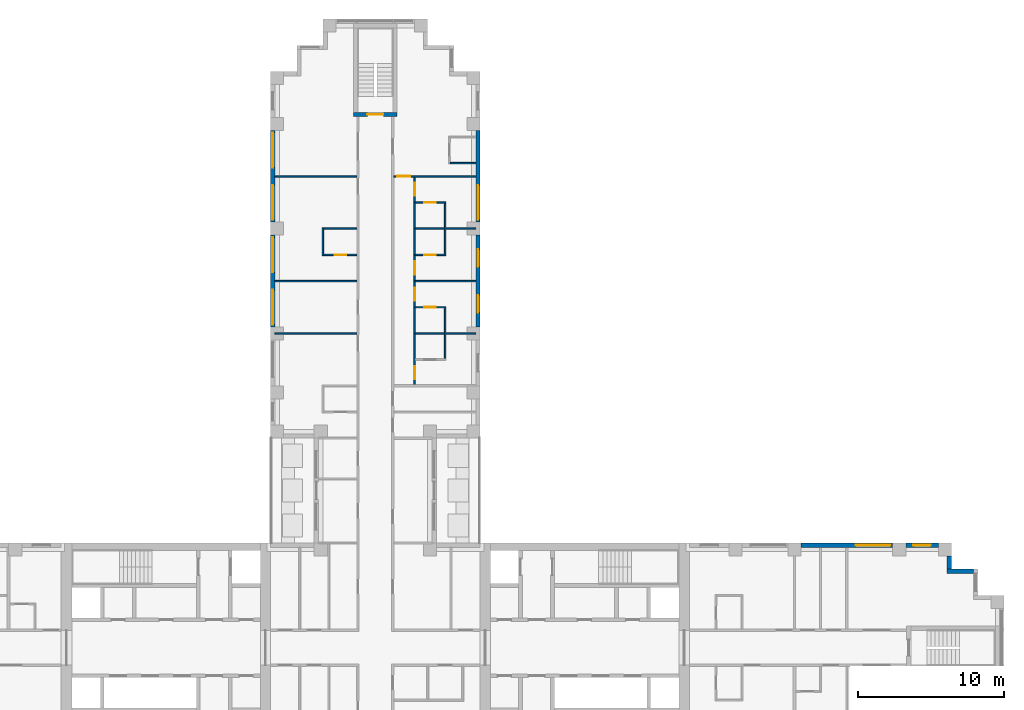
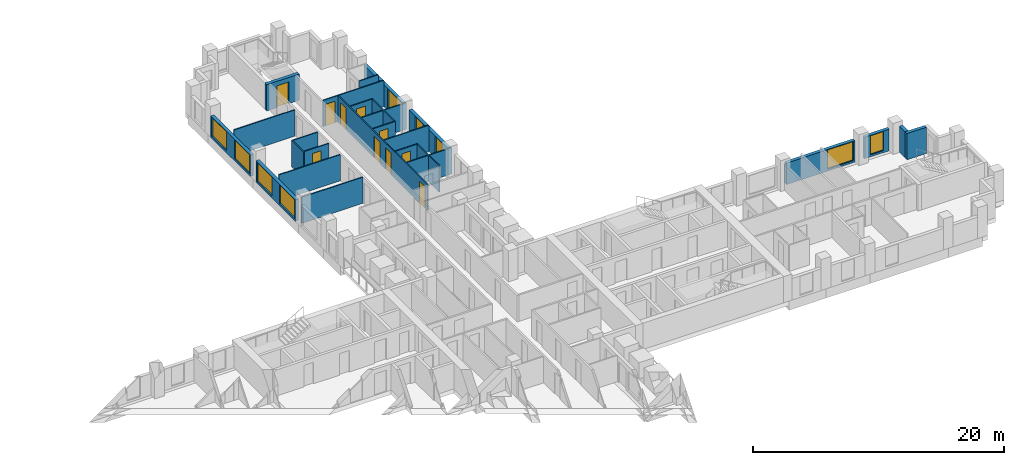
# One storey, part 11 of 15: 26 walls, 10 doors, 9 windows, 19 openings.
"""IFC4 building model written with IfcOpenShell, lengths in metres."""

from ifc_helpers import new_model, si_unit, direction, frame, frame_2d, origin, place, context, subcontext, project, spatial, rectangle, extrude, material, layer, layer_set, type_object, element, fill, save


model = new_model("IFC4")

# Units and contexts
model_context = context("Model", 3, precision=1e-05, world=origin(), true_north=direction((0.0, 1.0)))
body_context = subcontext(model_context, "Body", "Model", "MODEL_VIEW")
ifc_project = project(units=[si_unit("LENGTHUNIT", "METRE"), si_unit("AREAUNIT", "SQUARE_METRE"), si_unit("VOLUMEUNIT", "CUBIC_METRE"), si_unit("PLANEANGLEUNIT", "RADIAN"), si_unit("MASSUNIT", "GRAM", prefix="KILO")], contexts=[model_context])

# Site, building, storey
site_placement = place(None, origin())
site = spatial("IfcSite", under=ifc_project, at=site_placement, CompositionType="ELEMENT")
building_placement = place(site_placement, origin())
building = spatial("IfcBuilding", under=site, at=building_placement, Name="Fustian Cross Tower", CompositionType="ELEMENT")
storey_placement = place(building_placement, frame((0.0, 0.0, 59.699951171875)))
storey = spatial("IfcBuildingStorey", under=building, at=storey_placement, Name="L18", CompositionType="ELEMENT", Elevation=59.699951171875)

# Walls
ifc_material_1 = material(Name="Plasterboard on steel stud", Category="steel")
ifc_layer_1 = layer(ifc_material_1, 0.10009765625)
ifc_layer_set_1 = layer_set([ifc_layer_1], Name="Plasterboard on steel stud")
wall_type_1 = type_object("IfcWallType", Name="PARTITION 100 STUD", PredefinedType="PARTITIONING", material=ifc_layer_set_1)
for number, where, z_axis, x_axis, name in (
    (1, (-6.89990234375, 21.60009765625, 0.0), (0.0, 0.0, 1.0), (1.0, 0.0, 0.0), "Partition 19"),
    (2, (-6.89990234375, 25.199951171875, 0.0), (0.0, 0.0, 1.0), (1.0, 0.0, 0.0), "Partition 20"),
    (3, (-6.89990234375, 32.39990234375, 0.0), (0.0, 0.0, 1.0), (1.0, 0.0, 0.0), "Partition 21"),
):
    element("IfcWall", number, at=place(storey_placement, frame(where, z_axis=z_axis, x_axis=x_axis)), inside=storey, type_object=wall_type_1, Name=name, PredefinedType="PARTITIONING", context=body_context, shape_type="SweptSolid", body=[
        extrude(rectangle(XDim=5.625, YDim=0.10009765625, at=frame_2d((2.8125, 0.0))), origin(), (0.0, 0.0, 1.0), 2.550048828125),
    ])
wall_1_placement = place(storey_placement, frame((-3.60009765625, 26.949951171875, 0.0), z_axis=(0.0, 0.0, 1.0), x_axis=(0.0, 1.0, 0.0)))
element("IfcWall", 4, at=wall_1_placement, inside=storey, type_object=wall_type_1, Name="Partition 37", PredefinedType="PARTITIONING", context=body_context, shape_type="SweptSolid", body=[
    extrude(rectangle(XDim=1.900146484375, YDim=0.10009765625, at=frame_2d((0.9501953125, 0.0))), origin(), (0.0, 0.0, 1.0), 2.550048828125),
])

# Wall, opening, door
wall_2_placement = place(storey_placement, frame((-3.550048828125, 27.0, 0.0), z_axis=(0.0, 0.0, 1.0), x_axis=(1.0, 0.0, 0.0)))
wall_2 = element("IfcWall", 5, at=wall_2_placement, inside=storey, type_object=wall_type_1, Name="Partition 38", PredefinedType="PARTITIONING", context=body_context, shape_type="SweptSolid", body=[
    extrude(rectangle(XDim=2.275146484375, YDim=0.10009765625, at=frame_2d((1.1376953125, 0.0))), origin(), (0.0, 0.0, 1.0), 2.550048828125),
])
opening_1_placement = place(wall_2_placement, frame((0.75, 0.0, 0.0)))
opening_1 = element("IfcOpeningElement", 6, at=opening_1_placement, cuts=wall_2, Name="Opening D09027", PredefinedType="OPENING", context=body_context, shape_type="SweptSolid", body=[
    extrude(rectangle(XDim=0.800048828125, YDim=2.10009765625, at=frame_2d((0.39990234375, 1.050048828125))), frame((0.0, 0.06005859375, 0.0), z_axis=(0.0, -1.0, 0.0), x_axis=(1.0, 0.0, 0.0)), (0.0, 0.0, 1.0), 0.1201171875),
])
ifc_material_2 = material(Name="Painted timber", Category="wood")
door_type_1 = type_object("IfcDoorType", Name="SWING DOOR 800", OperationType="SINGLE_SWING_LEFT", PredefinedType="DOOR", material=ifc_material_2)
door_1_placement = place(opening_1_placement, origin())
door_1 = element("IfcDoor", 7, at=door_1_placement, inside=storey, type_object=door_type_1, Name="Door D09027", OperationType="SINGLE_SWING_LEFT", OverallHeight=2.10009765625, OverallWidth=0.800048828125, PredefinedType="DOOR", context=body_context, shape_type="SweptSolid", body=[
    extrude(rectangle(XDim=0.800048828125, YDim=2.10009765625, at=frame_2d((0.39990234375, 1.050048828125))), frame((0.0, 0.02490234375, 0.0), z_axis=(0.0, -1.0, 0.0), x_axis=(1.0, 0.0, 0.0)), (0.0, 0.0, 1.0), 0.050048828125),
])
fill(opening_1, door_1)

# Wall
wall_3_placement = place(storey_placement, frame((-3.550048828125, 28.800048828125, 0.0), z_axis=(0.0, 0.0, 1.0), x_axis=(1.0, 0.0, 0.0)))
element("IfcWall", 8, at=wall_3_placement, inside=storey, type_object=wall_type_1, Name="Partition 39", PredefinedType="PARTITIONING", context=body_context, shape_type="SweptSolid", body=[
    extrude(rectangle(XDim=2.275146484375, YDim=0.10009765625, at=frame_2d((1.1376953125, 0.0))), origin(), (0.0, 0.0, 1.0), 2.550048828125),
])

# Wall, opening, door
wall_4_placement = place(storey_placement, frame((1.27490234375, 32.39990234375, 0.0), z_axis=(0.0, 0.0, 1.0), x_axis=(1.0, 0.0, 0.0)))
wall_4 = element("IfcWall", 9, at=wall_4_placement, inside=storey, type_object=wall_type_1, Name="Partition 63", PredefinedType="PARTITIONING", context=body_context, shape_type="SweptSolid", body=[
    extrude(rectangle(XDim=5.625, YDim=0.10009765625, at=frame_2d((2.8125, 0.0))), origin(), (0.0, 0.0, 1.0), 2.550048828125),
])
opening_2_placement = place(wall_4_placement, frame((0.22509765625, 0.0, 0.0)))
opening_2 = element("IfcOpeningElement", 10, at=opening_2_placement, cuts=wall_4, Name="Opening D09035", PredefinedType="OPENING", context=body_context, shape_type="SweptSolid", body=[
    extrude(rectangle(XDim=0.89990234375, YDim=2.10009765625, at=frame_2d((0.449951171875, 1.050048828125))), frame((0.0, 0.06005859375, 0.0), z_axis=(0.0, -1.0, 0.0), x_axis=(1.0, 0.0, 0.0)), (0.0, 0.0, 1.0), 0.1201171875),
])
ifc_material_3 = material(Name="Painted timber", Category="wood")
door_type_2 = type_object("IfcDoorType", Name="SWING DOOR 900", OperationType="SINGLE_SWING_LEFT", PredefinedType="DOOR", material=ifc_material_3)
door_2_placement = place(opening_2_placement, frame((0.89990234375, 0.0, 0.0), z_axis=(0.0, 0.0, 1.0), x_axis=(-1.0, 0.0, 0.0)))
door_2 = element("IfcDoor", 11, at=door_2_placement, inside=storey, type_object=door_type_2, Name="Door D09035", OperationType="SINGLE_SWING_RIGHT", OverallHeight=2.10009765625, OverallWidth=0.89990234375, PredefinedType="DOOR", context=body_context, shape_type="SweptSolid", body=[
    extrude(rectangle(XDim=0.89990234375, YDim=2.10009765625, at=frame_2d((0.449951171875, 1.050048828125))), frame((0.0, 0.02490234375, 0.0), z_axis=(0.0, -1.0, 0.0), x_axis=(1.0, 0.0, 0.0)), (0.0, 0.0, 1.0), 0.050048828125),
])
fill(opening_2, door_2)

# Wall, openings, doors
wall_5_placement = place(storey_placement, frame((2.699951171875, 18.074951171875, 0.0), z_axis=(0.0, 0.0, 1.0), x_axis=(0.0, 1.0, 0.0)))
wall_5 = element("IfcWall", 12, at=wall_5_placement, inside=storey, type_object=wall_type_1, Name="Partition 68", PredefinedType="PARTITIONING", context=body_context, shape_type="SweptSolid", body=[
    extrude(rectangle(XDim=14.275146484375, YDim=0.10009765625, at=frame_2d((7.1376953125, 0.0))), origin(), (0.0, 0.0, 1.0), 2.550048828125),
])
opening_3_placement = place(wall_5_placement, frame((0.375, 0.0, 0.0)))
opening_3 = element("IfcOpeningElement", 13, at=opening_3_placement, cuts=wall_5, Name="Opening D09036", PredefinedType="OPENING", context=body_context, shape_type="SweptSolid", body=[
    extrude(rectangle(XDim=0.89990234375, YDim=2.10009765625, at=frame_2d((0.449951171875, 1.050048828125))), frame((0.0, 0.06005859375, 0.0), z_axis=(0.0, -1.0, 0.0), x_axis=(1.0, 0.0, 0.0)), (0.0, 0.0, 1.0), 0.1201171875),
])
opening_4_placement = place(wall_5_placement, frame((5.77490234375, 0.0, 0.0)))
opening_4 = element("IfcOpeningElement", 14, at=opening_4_placement, cuts=wall_5, Name="Opening D09037", PredefinedType="OPENING", context=body_context, shape_type="SweptSolid", body=[
    extrude(rectangle(XDim=0.89990234375, YDim=2.10009765625, at=frame_2d((0.449951171875, 1.050048828125))), frame((0.0, 0.06005859375, 0.0), z_axis=(0.0, -1.0, 0.0), x_axis=(1.0, 0.0, 0.0)), (0.0, 0.0, 1.0), 0.1201171875),
])
opening_5_placement = place(wall_5_placement, frame((7.574951171875, 0.0, 0.0)))
opening_5 = element("IfcOpeningElement", 15, at=opening_5_placement, cuts=wall_5, Name="Opening D09038", PredefinedType="OPENING", context=body_context, shape_type="SweptSolid", body=[
    extrude(rectangle(XDim=0.89990234375, YDim=2.10009765625, at=frame_2d((0.449951171875, 1.050048828125))), frame((0.0, 0.06005859375, 0.0), z_axis=(0.0, -1.0, 0.0), x_axis=(1.0, 0.0, 0.0)), (0.0, 0.0, 1.0), 0.1201171875),
])
opening_6_placement = place(wall_5_placement, frame((12.974853515625, 0.0, 0.0)))
opening_6 = element("IfcOpeningElement", 16, at=opening_6_placement, cuts=wall_5, Name="Opening D09039", PredefinedType="OPENING", context=body_context, shape_type="SweptSolid", body=[
    extrude(rectangle(XDim=0.89990234375, YDim=2.10009765625, at=frame_2d((0.449951171875, 1.050048828125))), frame((0.0, 0.06005859375, 0.0), z_axis=(0.0, -1.0, 0.0), x_axis=(1.0, 0.0, 0.0)), (0.0, 0.0, 1.0), 0.1201171875),
])
door_3_placement = place(opening_3_placement, frame((0.89990234375, 0.0, 0.0), z_axis=(0.0, 0.0, 1.0), x_axis=(-1.0, 0.0, 0.0)))
door_3 = element("IfcDoor", 17, at=door_3_placement, inside=storey, type_object=door_type_2, Name="Door D09036", OperationType="SINGLE_SWING_RIGHT", OverallHeight=2.10009765625, OverallWidth=0.89990234375, PredefinedType="DOOR", context=body_context, shape_type="SweptSolid", body=[
    extrude(rectangle(XDim=0.89990234375, YDim=2.10009765625, at=frame_2d((0.449951171875, 1.050048828125))), frame((0.0, 0.02490234375, 0.0), z_axis=(0.0, -1.0, 0.0), x_axis=(1.0, 0.0, 0.0)), (0.0, 0.0, 1.0), 0.050048828125),
])
fill(opening_3, door_3)
door_4_placement = place(opening_4_placement, frame((0.89990234375, 0.0, 0.0), z_axis=(0.0, 0.0, 1.0), x_axis=(-1.0, 0.0, 0.0)))
door_4 = element("IfcDoor", 18, at=door_4_placement, inside=storey, type_object=door_type_2, Name="Door D09037", OperationType="SINGLE_SWING_RIGHT", OverallHeight=2.10009765625, OverallWidth=0.89990234375, PredefinedType="DOOR", context=body_context, shape_type="SweptSolid", body=[
    extrude(rectangle(XDim=0.89990234375, YDim=2.10009765625, at=frame_2d((0.449951171875, 1.050048828125))), frame((0.0, 0.02490234375, 0.0), z_axis=(0.0, -1.0, 0.0), x_axis=(1.0, 0.0, 0.0)), (0.0, 0.0, 1.0), 0.050048828125),
])
fill(opening_4, door_4)
door_5_placement = place(opening_5_placement, frame((0.89990234375, 0.0, 0.0), z_axis=(0.0, 0.0, 1.0), x_axis=(-1.0, 0.0, 0.0)))
door_5 = element("IfcDoor", 19, at=door_5_placement, inside=storey, type_object=door_type_2, Name="Door D09038", OperationType="SINGLE_SWING_RIGHT", OverallHeight=2.10009765625, OverallWidth=0.89990234375, PredefinedType="DOOR", context=body_context, shape_type="SweptSolid", body=[
    extrude(rectangle(XDim=0.89990234375, YDim=2.10009765625, at=frame_2d((0.449951171875, 1.050048828125))), frame((0.0, 0.02490234375, 0.0), z_axis=(0.0, -1.0, 0.0), x_axis=(1.0, 0.0, 0.0)), (0.0, 0.0, 1.0), 0.050048828125),
])
fill(opening_5, door_5)
door_6_placement = place(opening_6_placement, frame((0.89990234375, 0.0, 0.0), z_axis=(0.0, 0.0, 1.0), x_axis=(-1.0, 0.0, 0.0)))
door_6 = element("IfcDoor", 20, at=door_6_placement, inside=storey, type_object=door_type_2, Name="Door D09039", OperationType="SINGLE_SWING_RIGHT", OverallHeight=2.10009765625, OverallWidth=0.89990234375, PredefinedType="DOOR", context=body_context, shape_type="SweptSolid", body=[
    extrude(rectangle(XDim=0.89990234375, YDim=2.10009765625, at=frame_2d((0.449951171875, 1.050048828125))), frame((0.0, 0.02490234375, 0.0), z_axis=(0.0, -1.0, 0.0), x_axis=(1.0, 0.0, 0.0)), (0.0, 0.0, 1.0), 0.050048828125),
])
fill(opening_6, door_6)

# Wall
wall_6_placement = place(storey_placement, frame((2.75, 21.60009765625, 0.0), z_axis=(0.0, 0.0, 1.0), x_axis=(1.0, 0.0, 0.0)))
element("IfcWall", 21, at=wall_6_placement, inside=storey, type_object=wall_type_1, Name="Partition 70", PredefinedType="PARTITIONING", context=body_context, shape_type="SweptSolid", body=[
    extrude(rectangle(XDim=4.14990234375, YDim=0.10009765625, at=frame_2d((2.074951171875, 0.0))), origin(), (0.0, 0.0, 1.0), 2.550048828125),
])

# Wall, opening, door
wall_7_placement = place(storey_placement, frame((2.75, 23.39990234375, 0.0), z_axis=(0.0, 0.0, 1.0), x_axis=(1.0, 0.0, 0.0)))
wall_7 = element("IfcWall", 22, at=wall_7_placement, inside=storey, type_object=wall_type_1, Name="Partition 71", PredefinedType="PARTITIONING", context=body_context, shape_type="SweptSolid", body=[
    extrude(rectangle(XDim=2.10009765625, YDim=0.10009765625, at=frame_2d((1.050048828125, 0.0))), origin(), (0.0, 0.0, 1.0), 2.550048828125),
])
opening_7_placement = place(wall_7_placement, frame((0.60009765625, 0.0, 0.0)))
opening_7 = element("IfcOpeningElement", 23, at=opening_7_placement, cuts=wall_7, Name="Opening D09041", PredefinedType="OPENING", context=body_context, shape_type="SweptSolid", body=[
    extrude(rectangle(XDim=0.800048828125, YDim=2.10009765625, at=frame_2d((0.39990234375, 1.050048828125))), frame((0.0, 0.06005859375, 0.0), z_axis=(0.0, -1.0, 0.0), x_axis=(1.0, 0.0, 0.0)), (0.0, 0.0, 1.0), 0.1201171875),
])
door_7_placement = place(opening_7_placement, frame((0.800048828125, 0.0, 0.0), z_axis=(0.0, 0.0, 1.0), x_axis=(-1.0, 0.0, 0.0)))
door_7 = element("IfcDoor", 24, at=door_7_placement, inside=storey, type_object=door_type_1, Name="Door D09041", OperationType="SINGLE_SWING_RIGHT", OverallHeight=2.10009765625, OverallWidth=0.800048828125, PredefinedType="DOOR", context=body_context, shape_type="SweptSolid", body=[
    extrude(rectangle(XDim=0.800048828125, YDim=2.10009765625, at=frame_2d((0.39990234375, 1.050048828125))), frame((0.0, 0.02490234375, 0.0), z_axis=(0.0, -1.0, 0.0), x_axis=(1.0, 0.0, 0.0)), (0.0, 0.0, 1.0), 0.050048828125),
])
fill(opening_7, door_7)

# Wall
wall_8_placement = place(storey_placement, frame((2.75, 25.199951171875, 0.0), z_axis=(0.0, 0.0, 1.0), x_axis=(1.0, 0.0, 0.0)))
element("IfcWall", 25, at=wall_8_placement, inside=storey, type_object=wall_type_1, Name="Partition 72", PredefinedType="PARTITIONING", context=body_context, shape_type="SweptSolid", body=[
    extrude(rectangle(XDim=4.14990234375, YDim=0.10009765625, at=frame_2d((2.074951171875, 0.0))), origin(), (0.0, 0.0, 1.0), 2.550048828125),
])

# Wall, opening, door
wall_9_placement = place(storey_placement, frame((2.75, 27.0, 0.0), z_axis=(0.0, 0.0, 1.0), x_axis=(1.0, 0.0, 0.0)))
wall_9 = element("IfcWall", 26, at=wall_9_placement, inside=storey, type_object=wall_type_1, Name="Partition 73", PredefinedType="PARTITIONING", context=body_context, shape_type="SweptSolid", body=[
    extrude(rectangle(XDim=2.10009765625, YDim=0.10009765625, at=frame_2d((1.050048828125, 0.0))), origin(), (0.0, 0.0, 1.0), 2.550048828125),
])
opening_8_placement = place(wall_9_placement, frame((0.60009765625, 0.0, 0.0)))
opening_8 = element("IfcOpeningElement", 27, at=opening_8_placement, cuts=wall_9, Name="Opening D09042", PredefinedType="OPENING", context=body_context, shape_type="SweptSolid", body=[
    extrude(rectangle(XDim=0.800048828125, YDim=2.10009765625, at=frame_2d((0.39990234375, 1.050048828125))), frame((0.0, 0.06005859375, 0.0), z_axis=(0.0, -1.0, 0.0), x_axis=(1.0, 0.0, 0.0)), (0.0, 0.0, 1.0), 0.1201171875),
])
door_8_placement = place(opening_8_placement, origin())
door_8 = element("IfcDoor", 28, at=door_8_placement, inside=storey, type_object=door_type_1, Name="Door D09042", OperationType="SINGLE_SWING_LEFT", OverallHeight=2.10009765625, OverallWidth=0.800048828125, PredefinedType="DOOR", context=body_context, shape_type="SweptSolid", body=[
    extrude(rectangle(XDim=0.800048828125, YDim=2.10009765625, at=frame_2d((0.39990234375, 1.050048828125))), frame((0.0, 0.02490234375, 0.0), z_axis=(0.0, -1.0, 0.0), x_axis=(1.0, 0.0, 0.0)), (0.0, 0.0, 1.0), 0.050048828125),
])
fill(opening_8, door_8)

# Wall
wall_10_placement = place(storey_placement, frame((2.75, 28.800048828125, 0.0), z_axis=(0.0, 0.0, 1.0), x_axis=(1.0, 0.0, 0.0)))
element("IfcWall", 29, at=wall_10_placement, inside=storey, type_object=wall_type_1, Name="Partition 74", PredefinedType="PARTITIONING", context=body_context, shape_type="SweptSolid", body=[
    extrude(rectangle(XDim=4.14990234375, YDim=0.10009765625, at=frame_2d((2.074951171875, 0.0))), origin(), (0.0, 0.0, 1.0), 2.550048828125),
])

# Wall, opening, door
wall_11_placement = place(storey_placement, frame((2.75, 30.60009765625, 0.0), z_axis=(0.0, 0.0, 1.0), x_axis=(1.0, 0.0, 0.0)))
wall_11 = element("IfcWall", 30, at=wall_11_placement, inside=storey, type_object=wall_type_1, Name="Partition 75", PredefinedType="PARTITIONING", context=body_context, shape_type="SweptSolid", body=[
    extrude(rectangle(XDim=2.10009765625, YDim=0.10009765625, at=frame_2d((1.050048828125, 0.0))), origin(), (0.0, 0.0, 1.0), 2.550048828125),
])
opening_9_placement = place(wall_11_placement, frame((0.60009765625, 0.0, 0.0)))
opening_9 = element("IfcOpeningElement", 31, at=opening_9_placement, cuts=wall_11, Name="Opening D09043", PredefinedType="OPENING", context=body_context, shape_type="SweptSolid", body=[
    extrude(rectangle(XDim=0.800048828125, YDim=2.10009765625, at=frame_2d((0.39990234375, 1.050048828125))), frame((0.0, 0.06005859375, 0.0), z_axis=(0.0, -1.0, 0.0), x_axis=(1.0, 0.0, 0.0)), (0.0, 0.0, 1.0), 0.1201171875),
])
door_9_placement = place(opening_9_placement, frame((0.800048828125, 0.0, 0.0), z_axis=(0.0, 0.0, 1.0), x_axis=(-1.0, 0.0, 0.0)))
door_9 = element("IfcDoor", 32, at=door_9_placement, inside=storey, type_object=door_type_1, Name="Door D09043", OperationType="SINGLE_SWING_RIGHT", OverallHeight=2.10009765625, OverallWidth=0.800048828125, PredefinedType="DOOR", context=body_context, shape_type="SweptSolid", body=[
    extrude(rectangle(XDim=0.800048828125, YDim=2.10009765625, at=frame_2d((0.39990234375, 1.050048828125))), frame((0.0, 0.02490234375, 0.0), z_axis=(0.0, -1.0, 0.0), x_axis=(1.0, 0.0, 0.0)), (0.0, 0.0, 1.0), 0.050048828125),
])
fill(opening_9, door_9)

# Walls
for number, where, z_axis, x_axis, name in (
    (33, (4.800048828125, 19.85009765625, 0.0), (0.0, 0.0, 1.0), (0.0, 1.0, 0.0), "Partition 78"),
    (34, (4.800048828125, 27.050048828125, 0.0), (0.0, 0.0, 1.0), (0.0, 1.0, 0.0), "Partition 79"),
):
    element("IfcWall", number, at=place(storey_placement, frame(where, z_axis=z_axis, x_axis=x_axis)), inside=storey, type_object=wall_type_1, Name=name, PredefinedType="PARTITIONING", context=body_context, shape_type="SweptSolid", body=[
        extrude(rectangle(XDim=3.5, YDim=0.10009765625, at=frame_2d((1.75, 0.0))), origin(), (0.0, 0.0, 1.0), 2.550048828125),
    ])
wall_12_placement = place(storey_placement, frame((5.14990234375, 33.300048828125, 0.0), z_axis=(0.0, 0.0, 1.0), x_axis=(1.0, 0.0, 0.0)))
element("IfcWall", 35, at=wall_12_placement, inside=storey, type_object=wall_type_1, Name="Partition 84", PredefinedType="PARTITIONING", context=body_context, shape_type="SweptSolid", body=[
    extrude(rectangle(XDim=1.75, YDim=0.10009765625, at=frame_2d((0.875, 0.0))), origin(), (0.0, 0.0, 1.0), 2.550048828125),
])

# Wall, opening, door
ifc_material_4 = material(Name="Concrete C50/60", Category="concrete")
ifc_layer_2 = layer(ifc_material_4, 0.300048828125)
ifc_layer_set_2 = layer_set([ifc_layer_2], Name="Concrete C50/60")
wall_type_2 = type_object("IfcWallType", Name="STAIR ENCLOSURE WALL 300 C50/60", PredefinedType="SHEAR", material=ifc_layer_set_2)
wall_13_placement = place(storey_placement, frame((-1.5, 36.64990234375, 0.0), z_axis=(0.0, 0.0, 1.0), x_axis=(1.0, 0.0, 0.0)))
wall_13 = element("IfcWall", 36, at=wall_13_placement, inside=storey, type_object=wall_type_2, Name="Stair enclosure wall", PredefinedType="SHEAR", context=body_context, shape_type="SweptSolid", body=[
    extrude(rectangle(XDim=3.0, YDim=0.300048828125, at=frame_2d((1.5, 0.0))), origin(), (0.0, 0.0, 1.0), 2.550048828125),
])
opening_10_placement = place(wall_13_placement, frame((0.949951171875, 0.0, 0.0)))
opening_10 = element("IfcOpeningElement", 37, at=opening_10_placement, cuts=wall_13, Name="Opening CD-07-31", PredefinedType="OPENING", context=body_context, shape_type="SweptSolid", body=[
    extrude(rectangle(XDim=1.10009765625, YDim=2.10009765625, at=frame_2d((0.550048828125, 1.050048828125))), frame((0.0, 0.159912109375, 0.0), z_axis=(0.0, -1.0, 0.0), x_axis=(1.0, 0.0, 0.0)), (0.0, 0.0, 1.0), 0.320068359375),
])
ifc_material_5 = material(Name="Steel", Category="steel")
door_type_3 = type_object("IfcDoorType", Name="FIRE DOOR FD60S 1100X2100", OperationType="SINGLE_SWING_LEFT", PredefinedType="DOOR", material=ifc_material_5)
door_10_placement = place(opening_10_placement, origin())
door_10 = element("IfcDoor", 38, at=door_10_placement, inside=storey, type_object=door_type_3, Name="Core door CD-07-31", OperationType="SINGLE_SWING_LEFT", OverallHeight=2.10009765625, OverallWidth=1.10009765625, PredefinedType="DOOR", context=body_context, shape_type="SweptSolid", body=[
    extrude(rectangle(XDim=1.10009765625, YDim=2.10009765625, at=frame_2d((0.550048828125, 1.050048828125))), frame((0.0, 0.02490234375, 0.0), z_axis=(0.0, -1.0, 0.0), x_axis=(1.0, 0.0, 0.0)), (0.0, 0.0, 1.0), 0.050048828125),
])
fill(opening_10, door_10)

# Walls
ifc_material_6 = material(Name="Dark aluminium cladding on insulated backing wall", Category="aluminium")
ifc_layer_3 = layer(ifc_material_6, 0.300048828125)
ifc_layer_set_3 = layer_set([ifc_layer_3], Name="Dark aluminium cladding on insulated backing wall")
wall_type_3 = type_object("IfcWallType", Name="XW1 EXTERNAL WALL 300", PredefinedType="SOLIDWALL", material=ifc_layer_set_3)
wall_14_placement = place(storey_placement, frame((41.10009765625, 5.25, 0.0), z_axis=(0.0, 0.0, 1.0), x_axis=(-1.0, 0.0, 0.0)))
element("IfcWall", 39, at=wall_14_placement, inside=storey, type_object=wall_type_3, Name="External wall", PredefinedType="SOLIDWALL", context=body_context, shape_type="SweptSolid", body=[
    extrude(rectangle(XDim=1.800048828125, YDim=0.300048828125, at=frame_2d((0.89990234375, 0.0))), origin(), (0.0, 0.0, 1.0), 2.550048828125),
])
wall_15_placement = place(storey_placement, frame((39.449951171875, 5.39990234375, 0.0), z_axis=(0.0, 0.0, 1.0), x_axis=(0.0, 1.0, 0.0)))
element("IfcWall", 40, at=wall_15_placement, inside=storey, type_object=wall_type_3, Name="External wall", PredefinedType="SOLIDWALL", context=body_context, shape_type="SweptSolid", body=[
    extrude(rectangle(XDim=0.900146484375, YDim=0.300048828125, at=frame_2d((0.4501953125, 0.0))), origin(), (0.0, 0.0, 1.0), 2.550048828125),
])

# Wall, opening, window
wall_16_placement = place(storey_placement, frame((38.699951171875, 7.050048828125, 0.0), z_axis=(0.0, 0.0, 1.0), x_axis=(-1.0, 0.0, 0.0)))
wall_16 = element("IfcWall", 41, at=wall_16_placement, inside=storey, type_object=wall_type_3, Name="External wall", PredefinedType="SOLIDWALL", context=body_context, shape_type="SweptSolid", body=[
    extrude(rectangle(XDim=2.25, YDim=0.300048828125, at=frame_2d((1.125, 0.0))), origin(), (0.0, 0.0, 1.0), 2.10009765625),
])
opening_11_placement = place(wall_16_placement, frame((0.52490234375, 0.0, 0.199951171875)))
opening_11 = element("IfcOpeningElement", 42, at=opening_11_placement, cuts=wall_16, Name="Opening WN3", PredefinedType="OPENING", context=body_context, shape_type="SweptSolid", body=[
    extrude(rectangle(XDim=1.199951171875, YDim=1.85009765625, at=frame_2d((0.60009765625, 0.925048828125))), frame((0.0, 0.159912109375, 0.0), z_axis=(0.0, -1.0, 0.0), x_axis=(1.0, 0.0, 0.0)), (0.0, 0.0, 1.0), 0.320068359375),
])
ifc_material_7 = material(Name="Dark anodised aluminium and double glazing", Category="aluminium")
window_type_1 = type_object("IfcWindowType", Name="WN3 WINDOW 1200X1850", PartitioningType="SINGLE_PANEL", PredefinedType="WINDOW", material=ifc_material_7)
window_1_placement = place(opening_11_placement, origin())
window_1 = element("IfcWindow", 43, at=window_1_placement, inside=storey, type_object=window_type_1, Name="Window", OverallHeight=1.85009765625, OverallWidth=1.199951171875, PartitioningType="SINGLE_PANEL", PredefinedType="WINDOW", context=body_context, shape_type="SweptSolid", body=[
    extrude(rectangle(XDim=1.199951171875, YDim=1.85009765625, at=frame_2d((0.60009765625, 0.925048828125))), frame((0.0, 0.030029296875, 0.0), z_axis=(0.0, -1.0, 0.0), x_axis=(1.0, 0.0, 0.0)), (0.0, 0.0, 1.0), 0.06005859375),
])
fill(opening_11, window_1)

wall_17_placement = place(storey_placement, frame((35.550048828125, 7.050048828125, 0.0), z_axis=(0.0, 0.0, 1.0), x_axis=(-1.0, 0.0, 0.0)))
wall_17 = element("IfcWall", 44, at=wall_17_placement, inside=storey, type_object=wall_type_3, Name="External wall", PredefinedType="SOLIDWALL", context=body_context, shape_type="SweptSolid", body=[
    extrude(rectangle(XDim=6.300048828125, YDim=0.300048828125, at=frame_2d((3.14990234375, 0.0))), origin(), (0.0, 0.0, 1.0), 2.10009765625),
])
opening_12_placement = place(wall_17_placement, frame((0.14990234375, 0.0, 0.199951171875)))
opening_12 = element("IfcOpeningElement", 45, at=opening_12_placement, cuts=wall_17, Name="Opening WN1", PredefinedType="OPENING", context=body_context, shape_type="SweptSolid", body=[
    extrude(rectangle(XDim=2.39990234375, YDim=1.85009765625, at=frame_2d((1.199951171875, 0.925048828125))), frame((0.0, 0.159912109375, 0.0), z_axis=(0.0, -1.0, 0.0), x_axis=(1.0, 0.0, 0.0)), (0.0, 0.0, 1.0), 0.320068359375),
])
ifc_material_8 = material(Name="Dark anodised aluminium and double glazing", Category="aluminium")
window_type_2 = type_object("IfcWindowType", Name="WN1 WINDOW 2400X1850", PartitioningType="SINGLE_PANEL", PredefinedType="WINDOW", material=ifc_material_8)
window_2_placement = place(opening_12_placement, origin())
window_2 = element("IfcWindow", 46, at=window_2_placement, inside=storey, type_object=window_type_2, Name="Window", OverallHeight=1.85009765625, OverallWidth=2.39990234375, PartitioningType="SINGLE_PANEL", PredefinedType="WINDOW", context=body_context, shape_type="SweptSolid", body=[
    extrude(rectangle(XDim=2.39990234375, YDim=1.85009765625, at=frame_2d((1.199951171875, 0.925048828125))), frame((0.0, 0.030029296875, 0.0), z_axis=(0.0, -1.0, 0.0), x_axis=(1.0, 0.0, 0.0)), (0.0, 0.0, 1.0), 0.06005859375),
])
fill(opening_12, window_2)

# Wall, openings, windows
wall_18_placement = place(storey_placement, frame((7.050048828125, 22.050048828125, 0.0), z_axis=(0.0, 0.0, 1.0), x_axis=(0.0, 1.0, 0.0)))
wall_18 = element("IfcWall", 47, at=wall_18_placement, inside=storey, type_object=wall_type_3, Name="External wall", PredefinedType="SOLIDWALL", context=body_context, shape_type="SweptSolid", body=[
    extrude(rectangle(XDim=6.300048828125, YDim=0.300048828125, at=frame_2d((3.14990234375, 0.0))), origin(), (0.0, 0.0, 1.0), 2.10009765625),
])
opening_13_placement = place(wall_18_placement, frame((0.97509765625, 0.0, 0.199951171875)))
opening_13 = element("IfcOpeningElement", 48, at=opening_13_placement, cuts=wall_18, Name="Opening WN3", PredefinedType="OPENING", context=body_context, shape_type="SweptSolid", body=[
    extrude(rectangle(XDim=1.199951171875, YDim=1.85009765625, at=frame_2d((0.60009765625, 0.925048828125))), frame((0.0, 0.159912109375, 0.0), z_axis=(0.0, -1.0, 0.0), x_axis=(1.0, 0.0, 0.0)), (0.0, 0.0, 1.0), 0.320068359375),
])
opening_14_placement = place(wall_18_placement, frame((4.125, 0.0, 0.199951171875)))
opening_14 = element("IfcOpeningElement", 49, at=opening_14_placement, cuts=wall_18, Name="Opening WN3", PredefinedType="OPENING", context=body_context, shape_type="SweptSolid", body=[
    extrude(rectangle(XDim=1.199951171875, YDim=1.85009765625, at=frame_2d((0.60009765625, 0.925048828125))), frame((0.0, 0.159912109375, 0.0), z_axis=(0.0, -1.0, 0.0), x_axis=(1.0, 0.0, 0.0)), (0.0, 0.0, 1.0), 0.320068359375),
])
window_3_placement = place(opening_13_placement, origin())
window_3 = element("IfcWindow", 50, at=window_3_placement, inside=storey, type_object=window_type_1, Name="Window", OverallHeight=1.85009765625, OverallWidth=1.199951171875, PartitioningType="SINGLE_PANEL", PredefinedType="WINDOW", context=body_context, shape_type="SweptSolid", body=[
    extrude(rectangle(XDim=1.199951171875, YDim=1.85009765625, at=frame_2d((0.60009765625, 0.925048828125))), frame((0.0, 0.030029296875, 0.0), z_axis=(0.0, -1.0, 0.0), x_axis=(1.0, 0.0, 0.0)), (0.0, 0.0, 1.0), 0.06005859375),
])
fill(opening_13, window_3)
window_4_placement = place(opening_14_placement, origin())
window_4 = element("IfcWindow", 51, at=window_4_placement, inside=storey, type_object=window_type_1, Name="Window", OverallHeight=1.85009765625, OverallWidth=1.199951171875, PartitioningType="SINGLE_PANEL", PredefinedType="WINDOW", context=body_context, shape_type="SweptSolid", body=[
    extrude(rectangle(XDim=1.199951171875, YDim=1.85009765625, at=frame_2d((0.60009765625, 0.925048828125))), frame((0.0, 0.030029296875, 0.0), z_axis=(0.0, -1.0, 0.0), x_axis=(1.0, 0.0, 0.0)), (0.0, 0.0, 1.0), 0.06005859375),
])
fill(opening_14, window_4)

# Wall, opening, window
wall_19_placement = place(storey_placement, frame((7.050048828125, 29.25, 0.0), z_axis=(0.0, 0.0, 1.0), x_axis=(0.0, 1.0, 0.0)))
wall_19 = element("IfcWall", 52, at=wall_19_placement, inside=storey, type_object=wall_type_3, Name="External wall", PredefinedType="SOLIDWALL", context=body_context, shape_type="SweptSolid", body=[
    extrude(rectangle(XDim=6.300048828125, YDim=0.300048828125, at=frame_2d((3.14990234375, 0.0))), origin(), (0.0, 0.0, 1.0), 2.10009765625),
])
opening_15_placement = place(wall_19_placement, frame((0.14990234375, 0.0, 0.199951171875)))
opening_15 = element("IfcOpeningElement", 53, at=opening_15_placement, cuts=wall_19, Name="Opening WN1", PredefinedType="OPENING", context=body_context, shape_type="SweptSolid", body=[
    extrude(rectangle(XDim=2.39990234375, YDim=1.85009765625, at=frame_2d((1.199951171875, 0.925048828125))), frame((0.0, 0.159912109375, 0.0), z_axis=(0.0, -1.0, 0.0), x_axis=(1.0, 0.0, 0.0)), (0.0, 0.0, 1.0), 0.320068359375),
])
window_5_placement = place(opening_15_placement, origin())
window_5 = element("IfcWindow", 54, at=window_5_placement, inside=storey, type_object=window_type_2, Name="Window", OverallHeight=1.85009765625, OverallWidth=2.39990234375, PartitioningType="SINGLE_PANEL", PredefinedType="WINDOW", context=body_context, shape_type="SweptSolid", body=[
    extrude(rectangle(XDim=2.39990234375, YDim=1.85009765625, at=frame_2d((1.199951171875, 0.925048828125))), frame((0.0, 0.030029296875, 0.0), z_axis=(0.0, -1.0, 0.0), x_axis=(1.0, 0.0, 0.0)), (0.0, 0.0, 1.0), 0.06005859375),
])
fill(opening_15, window_5)

# Wall, openings, windows
wall_20_placement = place(storey_placement, frame((-7.050048828125, 35.550048828125, 0.0), z_axis=(0.0, 0.0, 1.0), x_axis=(0.0, -1.0, 0.0)))
wall_20 = element("IfcWall", 55, at=wall_20_placement, inside=storey, type_object=wall_type_3, Name="External wall", PredefinedType="SOLIDWALL", context=body_context, shape_type="SweptSolid", body=[
    extrude(rectangle(XDim=6.300048828125, YDim=0.300048828125, at=frame_2d((3.14990234375, 0.0))), origin(), (0.0, 0.0, 1.0), 2.10009765625),
])
opening_16_placement = place(wall_20_placement, frame((0.14990234375, 0.0, 0.199951171875)))
opening_16 = element("IfcOpeningElement", 56, at=opening_16_placement, cuts=wall_20, Name="Opening WN1", PredefinedType="OPENING", context=body_context, shape_type="SweptSolid", body=[
    extrude(rectangle(XDim=2.39990234375, YDim=1.85009765625, at=frame_2d((1.199951171875, 0.925048828125))), frame((0.0, 0.159912109375, 0.0), z_axis=(0.0, -1.0, 0.0), x_axis=(1.0, 0.0, 0.0)), (0.0, 0.0, 1.0), 0.320068359375),
])
opening_17_placement = place(wall_20_placement, frame((3.75, 0.0, 0.199951171875)))
opening_17 = element("IfcOpeningElement", 57, at=opening_17_placement, cuts=wall_20, Name="Opening WN1", PredefinedType="OPENING", context=body_context, shape_type="SweptSolid", body=[
    extrude(rectangle(XDim=2.39990234375, YDim=1.85009765625, at=frame_2d((1.199951171875, 0.925048828125))), frame((0.0, 0.159912109375, 0.0), z_axis=(0.0, -1.0, 0.0), x_axis=(1.0, 0.0, 0.0)), (0.0, 0.0, 1.0), 0.320068359375),
])
window_6_placement = place(opening_16_placement, origin())
window_6 = element("IfcWindow", 58, at=window_6_placement, inside=storey, type_object=window_type_2, Name="Window", OverallHeight=1.85009765625, OverallWidth=2.39990234375, PartitioningType="SINGLE_PANEL", PredefinedType="WINDOW", context=body_context, shape_type="SweptSolid", body=[
    extrude(rectangle(XDim=2.39990234375, YDim=1.85009765625, at=frame_2d((1.199951171875, 0.925048828125))), frame((0.0, 0.030029296875, 0.0), z_axis=(0.0, -1.0, 0.0), x_axis=(1.0, 0.0, 0.0)), (0.0, 0.0, 1.0), 0.06005859375),
])
fill(opening_16, window_6)
window_7_placement = place(opening_17_placement, origin())
window_7 = element("IfcWindow", 59, at=window_7_placement, inside=storey, type_object=window_type_2, Name="Window", OverallHeight=1.85009765625, OverallWidth=2.39990234375, PartitioningType="SINGLE_PANEL", PredefinedType="WINDOW", context=body_context, shape_type="SweptSolid", body=[
    extrude(rectangle(XDim=2.39990234375, YDim=1.85009765625, at=frame_2d((1.199951171875, 0.925048828125))), frame((0.0, 0.030029296875, 0.0), z_axis=(0.0, -1.0, 0.0), x_axis=(1.0, 0.0, 0.0)), (0.0, 0.0, 1.0), 0.06005859375),
])
fill(opening_17, window_7)

wall_21_placement = place(storey_placement, frame((-7.050048828125, 28.35009765625, 0.0), z_axis=(0.0, 0.0, 1.0), x_axis=(0.0, -1.0, 0.0)))
wall_21 = element("IfcWall", 60, at=wall_21_placement, inside=storey, type_object=wall_type_3, Name="External wall", PredefinedType="SOLIDWALL", context=body_context, shape_type="SweptSolid", body=[
    extrude(rectangle(XDim=6.300048828125, YDim=0.300048828125, at=frame_2d((3.14990234375, 0.0))), origin(), (0.0, 0.0, 1.0), 2.10009765625),
])
opening_18_placement = place(wall_21_placement, frame((0.14990234375, 0.0, 0.199951171875)))
opening_18 = element("IfcOpeningElement", 61, at=opening_18_placement, cuts=wall_21, Name="Opening WN1", PredefinedType="OPENING", context=body_context, shape_type="SweptSolid", body=[
    extrude(rectangle(XDim=2.39990234375, YDim=1.85009765625, at=frame_2d((1.199951171875, 0.925048828125))), frame((0.0, 0.159912109375, 0.0), z_axis=(0.0, -1.0, 0.0), x_axis=(1.0, 0.0, 0.0)), (0.0, 0.0, 1.0), 0.320068359375),
])
opening_19_placement = place(wall_21_placement, frame((3.75, 0.0, 0.199951171875)))
opening_19 = element("IfcOpeningElement", 62, at=opening_19_placement, cuts=wall_21, Name="Opening WN1", PredefinedType="OPENING", context=body_context, shape_type="SweptSolid", body=[
    extrude(rectangle(XDim=2.39990234375, YDim=1.85009765625, at=frame_2d((1.199951171875, 0.925048828125))), frame((0.0, 0.159912109375, 0.0), z_axis=(0.0, -1.0, 0.0), x_axis=(1.0, 0.0, 0.0)), (0.0, 0.0, 1.0), 0.320068359375),
])
window_8_placement = place(opening_18_placement, origin())
window_8 = element("IfcWindow", 63, at=window_8_placement, inside=storey, type_object=window_type_2, Name="Window", OverallHeight=1.85009765625, OverallWidth=2.39990234375, PartitioningType="SINGLE_PANEL", PredefinedType="WINDOW", context=body_context, shape_type="SweptSolid", body=[
    extrude(rectangle(XDim=2.39990234375, YDim=1.85009765625, at=frame_2d((1.199951171875, 0.925048828125))), frame((0.0, 0.030029296875, 0.0), z_axis=(0.0, -1.0, 0.0), x_axis=(1.0, 0.0, 0.0)), (0.0, 0.0, 1.0), 0.06005859375),
])
fill(opening_18, window_8)
window_9_placement = place(opening_19_placement, origin())
window_9 = element("IfcWindow", 64, at=window_9_placement, inside=storey, type_object=window_type_2, Name="Window", OverallHeight=1.85009765625, OverallWidth=2.39990234375, PartitioningType="SINGLE_PANEL", PredefinedType="WINDOW", context=body_context, shape_type="SweptSolid", body=[
    extrude(rectangle(XDim=2.39990234375, YDim=1.85009765625, at=frame_2d((1.199951171875, 0.925048828125))), frame((0.0, 0.030029296875, 0.0), z_axis=(0.0, -1.0, 0.0), x_axis=(1.0, 0.0, 0.0)), (0.0, 0.0, 1.0), 0.06005859375),
])
fill(opening_19, window_9)

save(model, "model.ifc")
